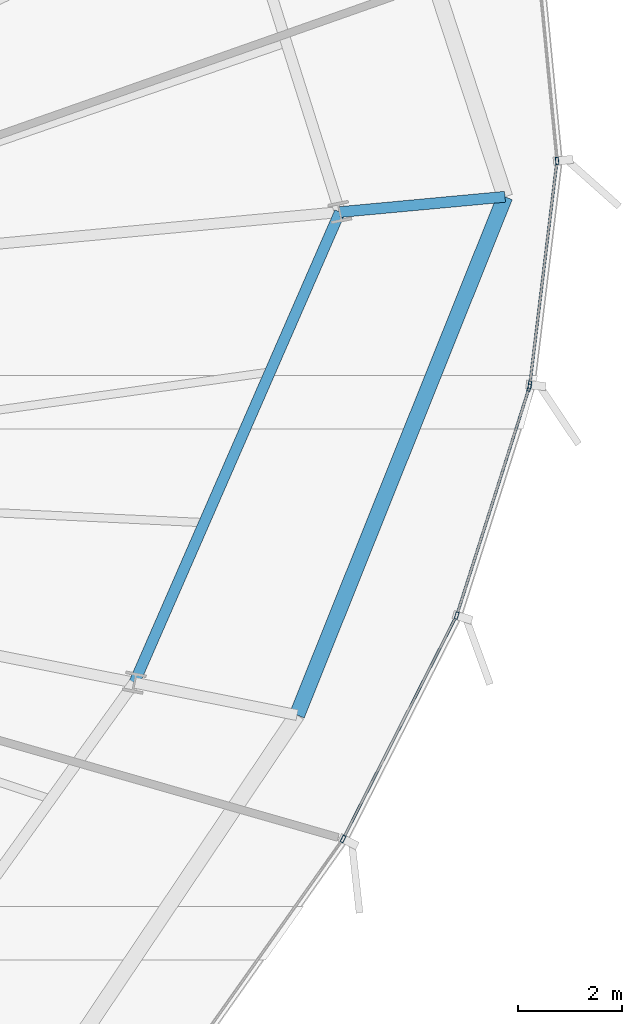
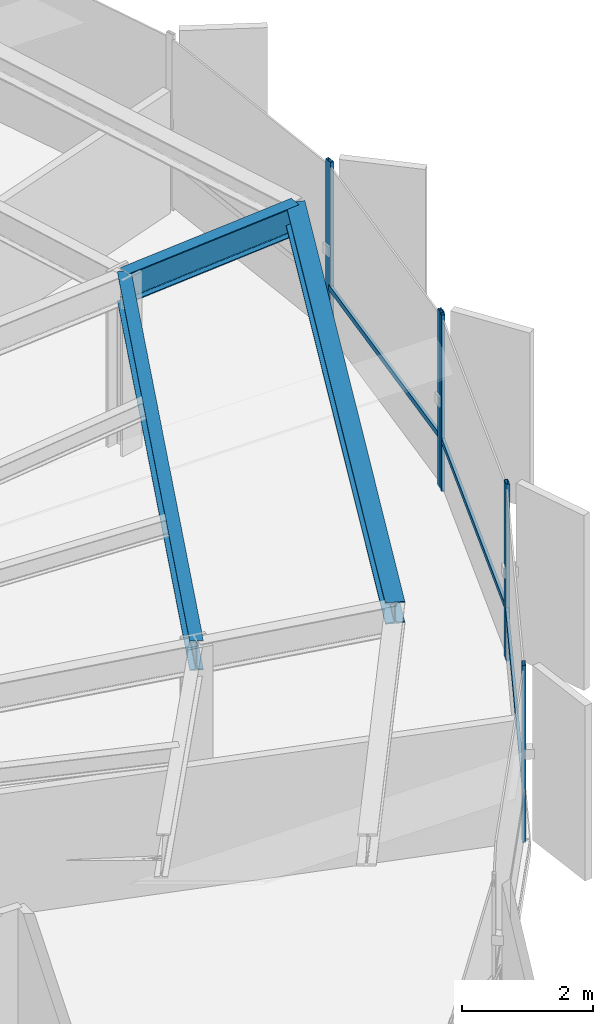
# One storey, part 16 of 36: 8 members, 3 beams, 2 elements without a shape of their own.
"""IFC4 building model written with IfcOpenShell, lengths in metres."""

from ifc_helpers import new_model, si_unit, direction, frame, origin, origin_2d, place, context, subcontext, project, spatial, hollow_rectangle, i_section, extrude, source, transform, mapped, material, layer, layer_set, material_profile, profile_set, type_object, element, aggregate, save


model = new_model("IFC4")

# Units and contexts
model_context = context("Model", 3, precision=1e-05, world=origin(), true_north=direction((0.0, 1.0)))
body_context = subcontext(model_context, "Body", "Model", "MODEL_VIEW")
ifc_project = project(units=[si_unit("LENGTHUNIT", "METRE"), si_unit("AREAUNIT", "SQUARE_METRE"), si_unit("VOLUMEUNIT", "CUBIC_METRE"), si_unit("PLANEANGLEUNIT", "RADIAN"), si_unit("MASSUNIT", "GRAM", prefix="KILO"), si_unit("THERMODYNAMICTEMPERATUREUNIT", "KELVIN")], contexts=[model_context])

# Site, building, storey
site_placement = place(None, origin())
site = spatial("IfcSite", under=ifc_project, at=site_placement, CompositionType="ELEMENT")
building_placement = place(site_placement, origin())
building = spatial("IfcBuilding", under=site, at=building_placement, Name="Kethvar Cultural Tower", CompositionType="ELEMENT")
storey_placement = place(building_placement, frame((0.0, 0.0, 143.0)))
storey = spatial("IfcBuildingStorey", under=building, at=storey_placement, Name="L36", CompositionType="ELEMENT", Elevation=143.0)

# Beams
ifc_material_1 = material(Name="Steel S355J2", Category="steel")
ifc_material_profile_1 = material_profile(ifc_material_1, i_section(OverallWidth=0.2099609375, OverallDepth=0.550048828125, WebThickness=0.010986328125, FlangeThickness=0.01708984375, FilletRadius=0.02392578125, at=origin_2d()), Name="Steel S355J2 — IPE550")
ifc_profile_set_1 = profile_set([ifc_material_profile_1], Name="Steel S355J2 — IPE550")
beam_type_1 = type_object("IfcBeamType", Name="BM-IPE550", PredefinedType="BEAM", material=ifc_profile_set_1)
shared_shape_1 = source(origin(), body_context, "Body", "SweptSolid", [
    extrude(i_section(OverallWidth=0.2099609375, OverallDepth=0.550048828125, WebThickness=0.010986328125, FlangeThickness=0.01708984375, FilletRadius=0.02392578125, at=origin_2d()), origin(), (0.0, 0.0, 1.0), 3.199951171875),
])
beam_1_placement = place(storey_placement, frame((71.6025390625, 32.7333984375, 3.02294921875), z_axis=(0.995729641608, 0.092317283453, 0.0), x_axis=(-0.092317283453, 0.995729641608, 0.0)))
element("IfcBeam", 1, at=beam_1_placement, inside=storey, type_object=beam_type_1, Name="L36 Perimeter Cantilever Beam RC-01", PredefinedType="BEAM", context=body_context, shape_type="MappedRepresentation", body=[
    mapped(shared_shape_1, transform((0.0, 0.0, 0.0), scale=1.0)),
])
shared_shape_2 = source(origin(), body_context, "Body", "SweptSolid", [
    extrude(i_section(OverallWidth=0.2099609375, OverallDepth=0.550048828125, WebThickness=0.010986328125, FlangeThickness=0.01708984375, FilletRadius=0.02392578125, at=origin_2d()), origin(), (0.0, 0.0, 1.0), 9.90625),
])
beam_2_placement = place(storey_placement, frame((67.638671875, 23.65478515625, 3.02294921875), z_axis=(0.400138679026, 0.916454602011, 0.0), x_axis=(-0.916454602011, 0.400138679026, 0.0)))
element("IfcBeam", 2, at=beam_2_placement, inside=storey, type_object=beam_type_1, Name="L36 Column Ring Tie Beam CR-16", PredefinedType="BEAM", context=body_context, shape_type="MappedRepresentation", body=[
    mapped(shared_shape_2, transform((0.0, 0.0, 0.0), scale=1.0)),
])
ifc_material_profile_2 = material_profile(ifc_material_1, i_section(OverallWidth=0.300048828125, OverallDepth=0.39990234375, WebThickness=0.013427734375, FlangeThickness=0.02392578125, FilletRadius=0.027099609375, at=origin_2d()), Name="Steel S355J2 — HEB400")
ifc_profile_set_2 = profile_set([ifc_material_profile_2], Name="Steel S355J2 — HEB400")
beam_type_2 = type_object("IfcBeamType", Name="BM-SP400", PredefinedType="SPANDREL", material=ifc_profile_set_2)
shared_shape_3 = source(origin(), body_context, "Body", "SweptSolid", [
    extrude(i_section(OverallWidth=0.300048828125, OverallDepth=0.39990234375, WebThickness=0.013427734375, FlangeThickness=0.02392578125, FilletRadius=0.027099609375, at=origin_2d()), origin(), (0.0, 0.0, 1.0), 10.773193359375),
])
beam_3_placement = place(storey_placement, frame((70.777099609375, 23.030517578125, 3.097900390625), z_axis=(0.372382905959, 0.928079183771, 0.0), x_axis=(-0.928079183771, 0.372382905959, 0.0)))
element("IfcBeam", 3, at=beam_3_placement, inside=storey, type_object=beam_type_2, Name="L36 Perimeter Spandrel Beam SP-16", PredefinedType="SPANDREL", context=body_context, shape_type="MappedRepresentation", body=[
    mapped(shared_shape_3, transform((0.0, 0.0, 0.0), scale=1.0)),
])

# Curtain wall, members
ifc_material_2 = material(Name="Aluminium 6063-T6", Category="aluminium")
ifc_layer = layer(ifc_material_2, 0.179931640625, Name="Aluminium 6063-T6", Category="aluminium")
ifc_layer_set = layer_set([ifc_layer], Name="Aluminium 6063-T6 (180 mm)")
curtain_wall_type = type_object("IfcCurtainWallType", Name="CW-SYS-04-Z34", PredefinedType="NOTDEFINED", material=ifc_layer_set)
curtain_wall_1_placement = place(storey_placement, origin())
curtain_wall_1 = element("IfcCurtainWall", 4, at=curtain_wall_1_placement, inside=storey, type_object=curtain_wall_type, Name="L36 Curtain Wall Run 06", PredefinedType="NOTDEFINED")
ifc_material_profile_3 = material_profile(ifc_material_2, hollow_rectangle(XDim=0.06005859375, YDim=0.139892578125, WallThickness=0.0048828125, at=origin_2d()), Name="Aluminium 6063-T6 — RHS140x60x5")
ifc_profile_set_3 = profile_set([ifc_material_profile_3], Name="Aluminium 6063-T6 — RHS140x60x5")
member_type_1 = type_object("IfcMemberType", Name="CW-SYS-04-Z34-MUL", PredefinedType="MULLION", material=ifc_profile_set_3)
shared_shape_4 = source(origin(), body_context, "Body", "SweptSolid", [
    extrude(hollow_rectangle(XDim=0.06005859375, YDim=0.139892578125, WallThickness=0.0048828125, at=origin_2d()), origin(), (0.0, 0.0, 1.0), 3.300048828125),
])
member_1_placement = place(storey_placement, frame((71.665283203125, 20.64111328125, 0.0), z_axis=(0.0, 0.0, 1.0), x_axis=(-0.891528892442, 0.452963832928, 0.0)))
member_1 = element("IfcMember", 5, at=member_1_placement, type_object=member_type_1, Name="CW-L36-R06 Mullion 5", PredefinedType="MULLION", context=body_context, shape_type="MappedRepresentation", body=[
    mapped(shared_shape_4, transform((0.0, 0.0, 0.0), scale=1.0)),
])
member_2_placement = place(storey_placement, frame((73.85693359375, 24.950927734375, 0.0), z_axis=(0.0, 0.0, 1.0), x_axis=(-0.952937020522, 0.303168327696, 0.0)))
member_2 = element("IfcMember", 6, at=member_2_placement, type_object=member_type_1, Name="CW-L36-R06 Mullion 6", PredefinedType="MULLION", context=body_context, shape_type="MappedRepresentation", body=[
    mapped(shared_shape_4, transform((0.0, 0.0, 0.0), scale=1.0)),
])
member_3_placement = place(storey_placement, frame((75.255615234375, 29.34716796875, 0.0), z_axis=(0.0, 0.0, 1.0), x_axis=(-0.952937020522, 0.303168327696, 0.0)))
member_3 = element("IfcMember", 7, at=member_3_placement, type_object=member_type_1, Name="CW-L36-R06 Mullion 7", PredefinedType="MULLION", context=body_context, shape_type="MappedRepresentation", body=[
    mapped(shared_shape_4, transform((0.0, 0.0, 0.0), scale=1.0)),
])

curtain_wall_2_placement = place(storey_placement, origin())
curtain_wall_2 = element("IfcCurtainWall", 8, at=curtain_wall_2_placement, inside=storey, type_object=curtain_wall_type, Name="L36 Curtain Wall Run 07", PredefinedType="NOTDEFINED")
member_4_placement = place(storey_placement, frame((75.267578125, 29.40283203125, 0.0), z_axis=(0.0, 0.0, 1.0), x_axis=(-0.992721652914, 0.120431390575, 0.0)))
member_4 = element("IfcMember", 9, at=member_4_placement, type_object=member_type_1, Name="CW-L36-R07 Mullion 1", PredefinedType="MULLION", context=body_context, shape_type="MappedRepresentation", body=[
    mapped(shared_shape_4, transform((0.0, 0.0, 0.0), scale=1.0)),
])
member_5_placement = place(storey_placement, frame((75.7939453125, 33.720703125, 0.0), z_axis=(0.0, 0.0, 1.0), x_axis=(-0.995264795759, -0.097200752686, 0.0)))
member_5 = element("IfcMember", 10, at=member_5_placement, type_object=member_type_1, Name="CW-L36-R07 Mullion 2", PredefinedType="MULLION", context=body_context, shape_type="MappedRepresentation", body=[
    mapped(shared_shape_4, transform((0.0, 0.0, 0.0), scale=1.0)),
])
ifc_material_profile_4 = material_profile(ifc_material_2, hollow_rectangle(XDim=0.050048828125, YDim=0.10009765625, WallThickness=0.00390625, at=origin_2d()), Name="Aluminium 6063-T6 — RHS100x50x4")
ifc_profile_set_4 = profile_set([ifc_material_profile_4], Name="Aluminium 6063-T6 — RHS100x50x4")
member_type_2 = type_object("IfcMemberType", Name="CW-SYS-04-Z34-TRN", PredefinedType="USERDEFINED", material=ifc_profile_set_4)
shared_shape_5 = source(origin(), body_context, "Body", "SweptSolid", [
    extrude(hollow_rectangle(XDim=0.050048828125, YDim=0.10009765625, WallThickness=0.00390625, at=origin_2d()), origin(), (0.0, 0.0, 1.0), 4.326416015625),
])
member_6_placement = place(storey_placement, frame((75.26806640625, 29.406982421875, 0.949951171875), z_axis=(0.120422370531, 0.992722747133, 0.0), x_axis=(-0.992722747133, 0.120422370531, 0.0)))
member_6 = element("IfcMember", 11, at=member_6_placement, type_object=member_type_2, Name="CW-L36-R07 Transom 1", ObjectType="TRANSOM", PredefinedType="USERDEFINED", context=body_context, shape_type="MappedRepresentation", body=[
    mapped(shared_shape_5, transform((0.0, 0.0, 0.0), scale=1.0)),
])
aggregate(curtain_wall_2, [member_4, member_5, member_6])

# Member
shared_shape_6 = source(origin(), body_context, "Body", "SweptSolid", [
    extrude(hollow_rectangle(XDim=0.050048828125, YDim=0.10009765625, WallThickness=0.00390625, at=origin_2d()), origin(), (0.0, 0.0, 1.0), 4.7666015625),
])
member_7_placement = place(storey_placement, frame((71.68505859375, 20.679443359375, 0.949951171875), z_axis=(0.45294107, 0.891540457359, 0.0), x_axis=(-0.891540457359, 0.45294107, 0.0)))
member_7 = element("IfcMember", 12, at=member_7_placement, type_object=member_type_2, Name="CW-L36-R06 Transom 5", ObjectType="TRANSOM", PredefinedType="USERDEFINED", context=body_context, shape_type="MappedRepresentation", body=[
    mapped(shared_shape_6, transform((0.0, 0.0, 0.0), scale=1.0)),
])

shared_shape_7 = source(origin(), body_context, "Body", "SweptSolid", [
    extrude(hollow_rectangle(XDim=0.050048828125, YDim=0.10009765625, WallThickness=0.00390625, at=origin_2d()), origin(), (0.0, 0.0, 1.0), 4.565673828125),
])
member_8_placement = place(storey_placement, frame((73.8701171875, 24.9921875, 0.949951171875), z_axis=(0.303139649256, 0.952946143834, 0.0), x_axis=(-0.952946143834, 0.303139649256, 0.0)))
member_8 = element("IfcMember", 13, at=member_8_placement, type_object=member_type_2, Name="CW-L36-R06 Transom 6", ObjectType="TRANSOM", PredefinedType="USERDEFINED", context=body_context, shape_type="MappedRepresentation", body=[
    mapped(shared_shape_7, transform((0.0, 0.0, 0.0), scale=1.0)),
])

aggregate(curtain_wall_1, [member_1, member_2, member_3, member_7, member_8])

save(model, "model.ifc")
